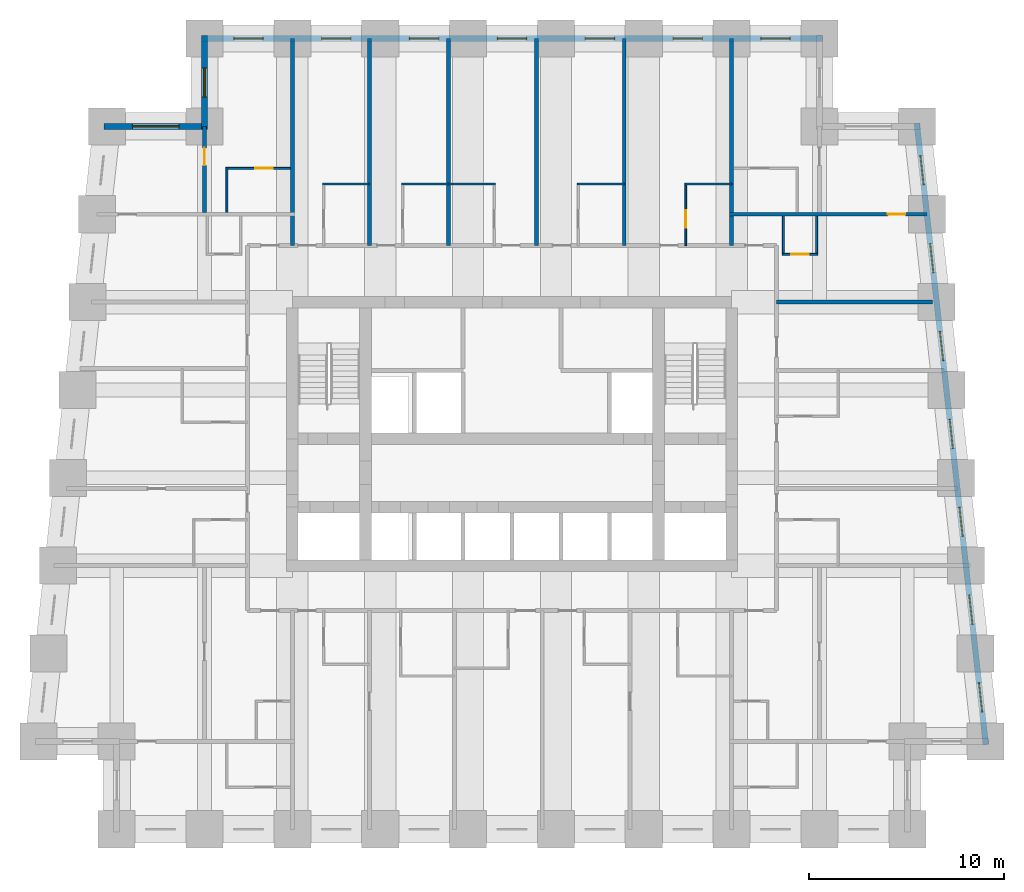
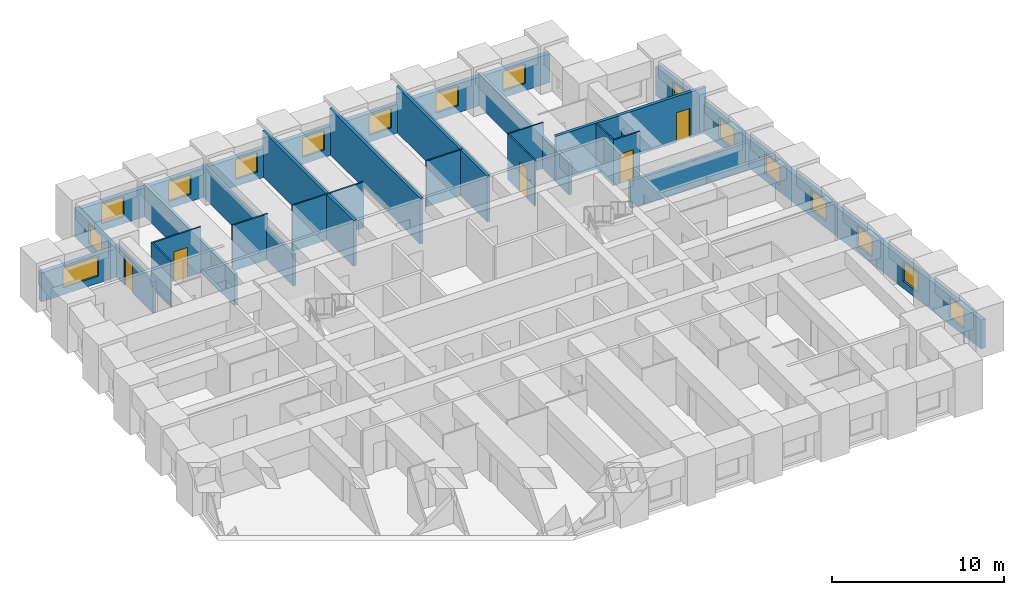
# One storey, part 6 of 8: 24 walls, 16 windows, 5 doors, 21 openings.
"""IFC4 building model written with IfcOpenShell, lengths in metres."""

from ifc_helpers import new_model, si_unit, direction, frame, frame_2d, origin, place, context, subcontext, project, spatial, rectangle, extrude, material, layer, layer_set, type_object, element, fill, save


model = new_model("IFC4")

# Units and contexts
model_context = context("Model", 3, precision=1e-05, world=origin(), true_north=direction((0.0, 1.0)))
body_context = subcontext(model_context, "Body", "Model", "MODEL_VIEW")
ifc_project = project(units=[si_unit("LENGTHUNIT", "METRE"), si_unit("AREAUNIT", "SQUARE_METRE"), si_unit("VOLUMEUNIT", "CUBIC_METRE"), si_unit("PLANEANGLEUNIT", "RADIAN"), si_unit("MASSUNIT", "GRAM", prefix="KILO")], contexts=[model_context])

# Site, building, storey
site_placement = place(None, origin())
site = spatial("IfcSite", under=ifc_project, at=site_placement, CompositionType="ELEMENT")
building_placement = place(site_placement, origin())
building = spatial("IfcBuilding", under=site, at=building_placement, Name="Kilele Tower Hotel", CompositionType="ELEMENT")
storey_placement = place(building_placement, frame((0.0, 0.0, 57.699951171875)))
storey = spatial("IfcBuildingStorey", under=building, at=storey_placement, Name="L13", CompositionType="ELEMENT", Elevation=57.699951171875)

# Walls
ifc_material_1 = material(Name="Moisture-resistant board")
ifc_layer_1 = layer(ifc_material_1, 0.10009765625)
ifc_layer_set_1 = layer_set([ifc_layer_1], Name="Moisture-resistant board")
wall_type_1 = type_object("IfcWallType", Name="Bathroom partition 100", PredefinedType="PLUMBINGWALL", material=ifc_layer_set_1)
for number, where, z_axis, x_axis, name in (
    (1, (15.050048828125, 33.050048828125, 0.0), (0.0, 0.0, 1.0), (1.0, 0.0, 0.0), "Bathroom partition 100 L13"),
    (2, (19.10009765625, 33.050048828125, 0.0), (0.0, 0.0, 1.0), (1.0, 0.0, 0.0), "Bathroom partition 100 L13"),
    (3, (21.5, 33.050048828125, 0.0), (0.0, 0.0, 1.0), (1.0, 0.0, 0.0), "Bathroom partition 100 L13"),
    (4, (28.10009765625, 33.050048828125, 0.0), (0.0, 0.0, 1.0), (1.0, 0.0, 0.0), "Bathroom partition 100 L13"),
    (5, (33.60009765625, 33.050048828125, 0.0), (0.0, 0.0, 1.0), (1.0, 0.0, 0.0), "Bathroom partition 100 L13"),
):
    element("IfcWall", number, at=place(storey_placement, frame(where, z_axis=z_axis, x_axis=x_axis)), inside=storey, type_object=wall_type_1, Name=name, PredefinedType="PLUMBINGWALL", context=body_context, shape_type="SweptSolid", body=[
        extrude(rectangle(XDim=2.39990234375, YDim=0.10009765625, at=frame_2d((1.199951171875, 0.0))), origin(), (0.0, 0.0, 1.0), 3.25),
    ])

# Wall, opening, door
wall_1_placement = place(storey_placement, frame((33.64990234375, 29.89990234375, 0.0), z_axis=(0.0, 0.0, 1.0), x_axis=(0.0, 1.0, 0.0)))
wall_1 = element("IfcWall", 6, at=wall_1_placement, inside=storey, type_object=wall_type_1, Name="Bathroom partition 100 L13", PredefinedType="PLUMBINGWALL", context=body_context, shape_type="SweptSolid", body=[
    extrude(rectangle(XDim=3.2001953125, YDim=0.10009765625, at=frame_2d((1.60009765625, 0.0))), origin(), (0.0, 0.0, 1.0), 3.25),
])
opening_1_placement = place(wall_1_placement, frame((0.89990234375, 0.0, 0.0)))
opening_1 = element("IfcOpeningElement", 7, at=opening_1_placement, cuts=wall_1, Name="Opening D2A", PredefinedType="OPENING", context=body_context, shape_type="SweptSolid", body=[
    extrude(rectangle(XDim=0.89990234375, YDim=2.10009765625, at=frame_2d((0.449951171875, 1.050048828125))), frame((0.0, 0.06005859375, 0.0), z_axis=(0.0, -1.0, 0.0), x_axis=(1.0, 0.0, 0.0)), (0.0, 0.0, 1.0), 0.1201171875),
])
ifc_material_2 = material(Name="Timber door leaf in hardwood frame", Category="wood")
door_type_1 = type_object("IfcDoorType", Name="Bathroom door 900", OperationType="SINGLE_SWING_LEFT", PredefinedType="DOOR", material=ifc_material_2)
door_1_placement = place(opening_1_placement, origin())
door_1 = element("IfcDoor", 8, at=door_1_placement, inside=storey, type_object=door_type_1, Name="Bathroom door 1313B", OperationType="SINGLE_SWING_LEFT", OverallHeight=2.10009765625, OverallWidth=0.89990234375, PredefinedType="DOOR", context=body_context, shape_type="SweptSolid", body=[
    extrude(rectangle(XDim=0.89990234375, YDim=2.10009765625, at=frame_2d((0.449951171875, 1.050048828125))), frame((0.0, 0.02490234375, 0.0), z_axis=(0.0, -1.0, 0.0), x_axis=(1.0, 0.0, 0.0)), (0.0, 0.0, 1.0), 0.050048828125),
])
fill(opening_1, door_1)

# Walls
wall_2_placement = place(storey_placement, frame((40.35009765625, 31.39990234375, 0.0), z_axis=(0.0, 0.0, 1.0), x_axis=(0.0, -1.0, 0.0)))
element("IfcWall", 9, at=wall_2_placement, inside=storey, type_object=wall_type_1, Name="Bathroom partition 100 L13", PredefinedType="PLUMBINGWALL", context=body_context, shape_type="SweptSolid", body=[
    extrude(rectangle(XDim=2.0, YDim=0.10009765625, at=frame_2d((1.0, 0.0))), origin(), (0.0, 0.0, 1.0), 2.25),
])
wall_3_placement = place(storey_placement, frame((38.64990234375, 31.39990234375, 0.0), z_axis=(0.0, 0.0, 1.0), x_axis=(0.0, -1.0, 0.0)))
element("IfcWall", 10, at=wall_3_placement, inside=storey, type_object=wall_type_1, Name="Bathroom partition 100 L13", PredefinedType="PLUMBINGWALL", context=body_context, shape_type="SweptSolid", body=[
    extrude(rectangle(XDim=2.0, YDim=0.10009765625, at=frame_2d((1.0, 0.0))), origin(), (0.0, 0.0, 1.0), 3.25),
])

# Wall, opening, door
wall_4_placement = place(storey_placement, frame((38.60009765625, 29.449951171875, 0.0), z_axis=(0.0, 0.0, 1.0), x_axis=(1.0, 0.0, 0.0)))
wall_4 = element("IfcWall", 11, at=wall_4_placement, inside=storey, type_object=wall_type_1, Name="Bathroom partition 100 L13", PredefinedType="PLUMBINGWALL", context=body_context, shape_type="SweptSolid", body=[
    extrude(rectangle(XDim=1.7998046875, YDim=0.10009765625, at=frame_2d((0.89990234375, 0.0))), origin(), (0.0, 0.0, 1.0), 3.25),
])
opening_2_placement = place(wall_4_placement, frame((1.349853515625, 0.0, 0.0), z_axis=(0.0, 0.0, 1.0), x_axis=(-1.0, 0.0, 0.0)))
opening_2 = element("IfcOpeningElement", 12, at=opening_2_placement, cuts=wall_4, Name="Opening D2A", PredefinedType="OPENING", context=body_context, shape_type="SweptSolid", body=[
    extrude(rectangle(XDim=0.89990234375, YDim=2.10009765625, at=frame_2d((0.449951171875, 1.050048828125))), frame((0.0, 0.06005859375, 0.0), z_axis=(0.0, -1.0, 0.0), x_axis=(1.0, 0.0, 0.0)), (0.0, 0.0, 1.0), 0.1201171875),
])
door_2_placement = place(opening_2_placement, origin())
door_2 = element("IfcDoor", 13, at=door_2_placement, inside=storey, type_object=door_type_1, Name="Bathroom door 1323P", OperationType="SINGLE_SWING_RIGHT", OverallHeight=2.10009765625, OverallWidth=0.89990234375, PredefinedType="DOOR", context=body_context, shape_type="SweptSolid", body=[
    extrude(rectangle(XDim=0.89990234375, YDim=2.10009765625, at=frame_2d((0.449951171875, 1.050048828125))), frame((0.0, 0.02490234375, 0.0), z_axis=(0.0, -1.0, 0.0), x_axis=(1.0, 0.0, 0.0)), (0.0, 0.0, 1.0), 0.050048828125),
])
fill(opening_2, door_2)

# Wall
wall_5_placement = place(storey_placement, frame((10.14990234375, 31.60009765625, 0.0), z_axis=(0.0, 0.0, 1.0), x_axis=(0.0, 1.0, 0.0)))
element("IfcWall", 14, at=wall_5_placement, inside=storey, type_object=wall_type_1, Name="Bathroom partition 100 L13", PredefinedType="PLUMBINGWALL", context=body_context, shape_type="SweptSolid", body=[
    extrude(rectangle(XDim=2.2998046875, YDim=0.10009765625, at=frame_2d((1.14990234375, 0.0))), origin(), (0.0, 0.0, 1.0), 3.25),
])

# Wall, opening, door
wall_6_placement = place(storey_placement, frame((13.39990234375, 33.85009765625, 0.0), z_axis=(0.0, 0.0, 1.0), x_axis=(-1.0, 0.0, 0.0)))
wall_6 = element("IfcWall", 15, at=wall_6_placement, inside=storey, type_object=wall_type_1, Name="Bathroom partition 100 L13", PredefinedType="PLUMBINGWALL", context=body_context, shape_type="SweptSolid", body=[
    extrude(rectangle(XDim=3.2998046875, YDim=0.10009765625, at=frame_2d((1.64990234375, 0.0))), origin(), (0.0, 0.0, 1.0), 3.25),
])
opening_3_placement = place(wall_6_placement, frame((1.7998046875, 0.0, 0.0), z_axis=(0.0, 0.0, 1.0), x_axis=(-1.0, 0.0, 0.0)))
opening_3 = element("IfcOpeningElement", 16, at=opening_3_placement, cuts=wall_6, Name="Opening D2A", PredefinedType="OPENING", context=body_context, shape_type="SweptSolid", body=[
    extrude(rectangle(XDim=0.89990234375, YDim=2.10009765625, at=frame_2d((0.449951171875, 1.050048828125))), frame((0.0, 0.06005859375, 0.0), z_axis=(0.0, -1.0, 0.0), x_axis=(1.0, 0.0, 0.0)), (0.0, 0.0, 1.0), 0.1201171875),
])
door_3_placement = place(opening_3_placement, origin())
door_3 = element("IfcDoor", 17, at=door_3_placement, inside=storey, type_object=door_type_1, Name="Bathroom door 1327B", OperationType="SINGLE_SWING_RIGHT", OverallHeight=2.10009765625, OverallWidth=0.89990234375, PredefinedType="DOOR", context=body_context, shape_type="SweptSolid", body=[
    extrude(rectangle(XDim=0.89990234375, YDim=2.10009765625, at=frame_2d((0.449951171875, 1.050048828125))), frame((0.0, 0.02490234375, 0.0), z_axis=(0.0, -1.0, 0.0), x_axis=(1.0, 0.0, 0.0)), (0.0, 0.0, 1.0), 0.050048828125),
])
fill(opening_3, door_3)

ifc_material_3 = material(Name="Blockwork, plastered both sides", Category="masonry")
ifc_layer_2 = layer(ifc_material_3, 0.199951171875)
ifc_layer_set_2 = layer_set([ifc_layer_2], Name="Blockwork, plastered both sides")
wall_type_2 = type_object("IfcWallType", Name="Partition wall 200", PredefinedType="PARTITIONING", material=ifc_layer_set_2)
wall_7_placement = place(storey_placement, frame((9.0, 31.60009765625, 0.0), z_axis=(0.0, 0.0, 1.0), x_axis=(0.0, 1.0, 0.0)))
wall_7 = element("IfcWall", 18, at=wall_7_placement, inside=storey, type_object=wall_type_2, Name="Partition wall 200 L13", PredefinedType="PARTITIONING", context=body_context, shape_type="SweptSolid", body=[
    extrude(rectangle(XDim=4.39990234375, YDim=0.199951171875, at=frame_2d((2.199951171875, 0.0))), origin(), (0.0, 0.0, 1.0), 2.25),
])
opening_4_placement = place(wall_7_placement, frame((2.39990234375, 0.0, 0.0)))
opening_4 = element("IfcOpeningElement", 19, at=opening_4_placement, cuts=wall_7, Name="Opening D3", PredefinedType="OPENING", context=body_context, shape_type="SweptSolid", body=[
    extrude(rectangle(XDim=0.89990234375, YDim=2.10009765625, at=frame_2d((0.449951171875, 1.050048828125))), frame((0.0, 0.10986328125, 0.0), z_axis=(0.0, -1.0, 0.0), x_axis=(1.0, 0.0, 0.0)), (0.0, 0.0, 1.0), 0.219970703125),
])
ifc_material_4 = material(Name="Timber door leaf in hardwood frame", Category="wood")
door_type_2 = type_object("IfcDoorType", Name="Suite internal door 900", OperationType="SINGLE_SWING_LEFT", PredefinedType="DOOR", material=ifc_material_4)
door_4_placement = place(opening_4_placement, origin())
door_4 = element("IfcDoor", 20, at=door_4_placement, inside=storey, type_object=door_type_2, Name="Suite door 1328", OperationType="SINGLE_SWING_RIGHT", OverallHeight=2.10009765625, OverallWidth=0.89990234375, PredefinedType="DOOR", context=body_context, shape_type="SweptSolid", body=[
    extrude(rectangle(XDim=0.89990234375, YDim=2.10009765625, at=frame_2d((0.449951171875, 1.050048828125))), frame((0.0, 0.02490234375, 0.0), z_axis=(0.0, -1.0, 0.0), x_axis=(1.0, 0.0, 0.0)), (0.0, 0.0, 1.0), 0.050048828125),
])
fill(opening_4, door_4)

# Walls
ifc_material_5 = material(Name="Blockwork, plastered both sides", Category="masonry")
ifc_layer_3 = layer(ifc_material_5, 0.199951171875)
ifc_layer_set_3 = layer_set([ifc_layer_3], Name="Blockwork, plastered both sides")
wall_type_3 = type_object("IfcWallType", Name="Party wall 200", PredefinedType="PARTITIONING", material=ifc_layer_set_3)
wall_8_placement = place(storey_placement, frame((17.449951171875, 29.89990234375, 0.0), z_axis=(0.0, 0.0, 1.0), x_axis=(0.0, 1.0, 0.0)))
element("IfcWall", 21, at=wall_8_placement, inside=storey, type_object=wall_type_3, Name="Party wall 200 L13", PredefinedType="PARTITIONING", context=body_context, shape_type="SweptSolid", body=[
    extrude(rectangle(XDim=10.60009765625, YDim=0.199951171875, at=frame_2d((5.300048828125, 0.0))), origin(), (0.0, 0.0, 1.0), 2.25),
])
for number, where, z_axis, x_axis, name in (
    (22, (21.5, 29.89990234375, 0.0), (0.0, 0.0, 1.0), (0.0, 1.0, 0.0), "Party wall 200 L13"),
    (23, (26.0, 29.89990234375, 0.0), (0.0, 0.0, 1.0), (0.0, 1.0, 0.0), "Party wall 200 L13"),
    (24, (30.5, 29.89990234375, 0.0), (0.0, 0.0, 1.0), (0.0, 1.0, 0.0), "Party wall 200 L13"),
):
    element("IfcWall", number, at=place(storey_placement, frame(where, z_axis=z_axis, x_axis=x_axis)), inside=storey, type_object=wall_type_3, Name=name, PredefinedType="PARTITIONING", context=body_context, shape_type="SweptSolid", body=[
        extrude(rectangle(XDim=10.60009765625, YDim=0.199951171875, at=frame_2d((5.300048828125, 0.0))), origin(), (0.0, 0.0, 1.0), 3.25),
    ])
wall_9_placement = place(storey_placement, frame((38.300048828125, 27.0, 0.0), z_axis=(0.0, 0.0, 1.0), x_axis=(1.0, 0.0, 0.0)))
element("IfcWall", 25, at=wall_9_placement, inside=storey, type_object=wall_type_3, Name="Party wall 200 L13", PredefinedType="PARTITIONING", context=body_context, shape_type="SweptSolid", body=[
    extrude(rectangle(XDim=7.976806640625, YDim=0.199951171875, at=frame_2d((3.98828125, 0.0))), origin(), (0.0, 0.0, 1.0), 1.949951171875),
])
wall_10_placement = place(storey_placement, frame((36.0, 29.89990234375, 0.0), z_axis=(0.0, 0.0, 1.0), x_axis=(0.0, 1.0, 0.0)))
element("IfcWall", 26, at=wall_10_placement, inside=storey, type_object=wall_type_3, Name="Party wall 200 L13", PredefinedType="PARTITIONING", context=body_context, shape_type="SweptSolid", body=[
    extrude(rectangle(XDim=10.60009765625, YDim=0.199951171875, at=frame_2d((5.300048828125, 0.0))), origin(), (0.0, 0.0, 1.0), 2.25),
])

# Wall, opening, door
wall_11_placement = place(storey_placement, frame((35.89990234375, 31.5, 0.0), z_axis=(0.0, 0.0, 1.0), x_axis=(1.0, 0.0, 0.0)))
wall_11 = element("IfcWall", 27, at=wall_11_placement, inside=storey, type_object=wall_type_3, Name="Party wall 200 L13", PredefinedType="PARTITIONING", context=body_context, shape_type="SweptSolid", body=[
    extrude(rectangle(XDim=10.09912109375, YDim=0.199951171875, at=frame_2d((5.049560546875, 0.0))), origin(), (0.0, 0.0, 1.0), 3.25),
])
opening_5_placement = place(wall_11_placement, frame((8.09912109375, 0.0, 0.0)))
opening_5 = element("IfcOpeningElement", 28, at=opening_5_placement, cuts=wall_11, Name="Opening D3", PredefinedType="OPENING", context=body_context, shape_type="SweptSolid", body=[
    extrude(rectangle(XDim=0.89990234375, YDim=2.10009765625, at=frame_2d((0.449951171875, 1.050048828125))), frame((0.0, 0.10986328125, 0.0), z_axis=(0.0, -1.0, 0.0), x_axis=(1.0, 0.0, 0.0)), (0.0, 0.0, 1.0), 0.219970703125),
])
door_5_placement = place(opening_5_placement, origin())
door_5 = element("IfcDoor", 29, at=door_5_placement, inside=storey, type_object=door_type_2, Name="Suite door 1324", OperationType="SINGLE_SWING_RIGHT", OverallHeight=2.10009765625, OverallWidth=0.89990234375, PredefinedType="DOOR", context=body_context, shape_type="SweptSolid", body=[
    extrude(rectangle(XDim=0.89990234375, YDim=2.10009765625, at=frame_2d((0.449951171875, 1.050048828125))), frame((0.0, 0.02490234375, 0.0), z_axis=(0.0, -1.0, 0.0), x_axis=(1.0, 0.0, 0.0)), (0.0, 0.0, 1.0), 0.050048828125),
])
fill(opening_5, door_5)

# Wall
wall_12_placement = place(storey_placement, frame((13.5, 29.89990234375, 0.0), z_axis=(0.0, 0.0, 1.0), x_axis=(0.0, 1.0, 0.0)))
element("IfcWall", 30, at=wall_12_placement, inside=storey, type_object=wall_type_3, Name="Party wall 200 L13", PredefinedType="PARTITIONING", context=body_context, shape_type="SweptSolid", body=[
    extrude(rectangle(XDim=10.60009765625, YDim=0.199951171875, at=frame_2d((5.300048828125, 0.0))), origin(), (0.0, 0.0, 1.0), 2.25),
])

# Wall, openings, windows
ifc_material_6 = material(Name="Concrete C40/50 precast", Category="concrete")
ifc_layer_4 = layer(ifc_material_6, 0.260009765625, Name="Precast backing", Category="LoadBearing")
ifc_material_7 = material(Name="Reconstituted stone finish", Category="masonry")
ifc_layer_5 = layer(ifc_material_7, 0.0400390625, Name="Face mix", Category="Finish")
ifc_layer_set_4 = layer_set([ifc_layer_4, ifc_layer_5], Name="Precast concrete C40/50, reconstituted stone finish")
wall_type_4 = type_object("IfcWallType", Name="Precast stone facade wall 300", PredefinedType="STANDARD", material=ifc_layer_set_4)
wall_13_placement = place(storey_placement, frame((49.0166015625, 4.350830078125, 0.0), z_axis=(0.0, 0.0, 1.0), x_axis=(-0.110433201132, 0.993883548555, 0.0)))
wall_13 = element("IfcWall", 31, at=wall_13_placement, inside=storey, type_object=wall_type_4, Name="Facade wall L13 edge 6", PredefinedType="STANDARD", context=body_context, shape_type="SweptSolid", body=[
    extrude(rectangle(XDim=31.994140625, YDim=0.300048828125, at=frame_2d((15.9970703125, 0.0))), origin(), (0.0, 0.0, 1.0), 2.050048828125),
])
opening_6_placement = place(wall_13_placement, frame((1.6640625, 0.0, 0.5)))
opening_6 = element("IfcOpeningElement", 32, at=opening_6_placement, cuts=wall_13, Name="Opening W1", PredefinedType="OPENING", context=body_context, shape_type="SweptSolid", body=[
    extrude(rectangle(XDim=1.5, YDim=1.39990234375, at=frame_2d((0.75, 0.699951171875))), frame((0.0, 0.159912109375, 0.0), z_axis=(0.0, -1.0, 0.0), x_axis=(1.0, 0.0, 0.0)), (0.0, 0.0, 1.0), 0.320068359375),
])
opening_7_placement = place(wall_13_placement, frame((6.19189453125, 0.0, 0.5)))
opening_7 = element("IfcOpeningElement", 33, at=opening_7_placement, cuts=wall_13, Name="Opening W1", PredefinedType="OPENING", context=body_context, shape_type="SweptSolid", body=[
    extrude(rectangle(XDim=1.5, YDim=1.39990234375, at=frame_2d((0.75, 0.699951171875))), frame((0.0, 0.159912109375, 0.0), z_axis=(0.0, -1.0, 0.0), x_axis=(1.0, 0.0, 0.0)), (0.0, 0.0, 1.0), 0.320068359375),
])
opening_8_placement = place(wall_13_placement, frame((10.718994140625, 0.0, 0.5)))
opening_8 = element("IfcOpeningElement", 34, at=opening_8_placement, cuts=wall_13, Name="Opening W1", PredefinedType="OPENING", context=body_context, shape_type="SweptSolid", body=[
    extrude(rectangle(XDim=1.5, YDim=1.39990234375, at=frame_2d((0.75, 0.699951171875))), frame((0.0, 0.159912109375, 0.0), z_axis=(0.0, -1.0, 0.0), x_axis=(1.0, 0.0, 0.0)), (0.0, 0.0, 1.0), 0.320068359375),
])
opening_9_placement = place(wall_13_placement, frame((15.2470703125, 0.0, 0.5)))
opening_9 = element("IfcOpeningElement", 35, at=opening_9_placement, cuts=wall_13, Name="Opening W1", PredefinedType="OPENING", context=body_context, shape_type="SweptSolid", body=[
    extrude(rectangle(XDim=1.5, YDim=1.39990234375, at=frame_2d((0.75, 0.699951171875))), frame((0.0, 0.159912109375, 0.0), z_axis=(0.0, -1.0, 0.0), x_axis=(1.0, 0.0, 0.0)), (0.0, 0.0, 1.0), 0.320068359375),
])
opening_10_placement = place(wall_13_placement, frame((19.77490234375, 0.0, 0.5)))
opening_10 = element("IfcOpeningElement", 36, at=opening_10_placement, cuts=wall_13, Name="Opening W1", PredefinedType="OPENING", context=body_context, shape_type="SweptSolid", body=[
    extrude(rectangle(XDim=1.5, YDim=1.39990234375, at=frame_2d((0.75, 0.699951171875))), frame((0.0, 0.159912109375, 0.0), z_axis=(0.0, -1.0, 0.0), x_axis=(1.0, 0.0, 0.0)), (0.0, 0.0, 1.0), 0.320068359375),
])
opening_11_placement = place(wall_13_placement, frame((24.302001953125, 0.0, 0.5)))
opening_11 = element("IfcOpeningElement", 37, at=opening_11_placement, cuts=wall_13, Name="Opening W1", PredefinedType="OPENING", context=body_context, shape_type="SweptSolid", body=[
    extrude(rectangle(XDim=1.5, YDim=1.39990234375, at=frame_2d((0.75, 0.699951171875))), frame((0.0, 0.159912109375, 0.0), z_axis=(0.0, -1.0, 0.0), x_axis=(1.0, 0.0, 0.0)), (0.0, 0.0, 1.0), 0.320068359375),
])
opening_12_placement = place(wall_13_placement, frame((28.830078125, 0.0, 0.5)))
opening_12 = element("IfcOpeningElement", 38, at=opening_12_placement, cuts=wall_13, Name="Opening W1", PredefinedType="OPENING", context=body_context, shape_type="SweptSolid", body=[
    extrude(rectangle(XDim=1.5, YDim=1.39990234375, at=frame_2d((0.75, 0.699951171875))), frame((0.0, 0.159912109375, 0.0), z_axis=(0.0, -1.0, 0.0), x_axis=(1.0, 0.0, 0.0)), (0.0, 0.0, 1.0), 0.320068359375),
])
ifc_material_8 = material(Name="Aluminium frame, clear double glazing", Category="aluminium")
window_type_1 = type_object("IfcWindowType", Name="Window W1 1500 x 1400", PartitioningType="SINGLE_PANEL", PredefinedType="WINDOW", material=ifc_material_8)
window_1_placement = place(opening_6_placement, origin())
window_1 = element("IfcWindow", 39, at=window_1_placement, inside=storey, type_object=window_type_1, Name="Window L13", OverallHeight=1.39990234375, OverallWidth=1.5, PartitioningType="SINGLE_PANEL", PredefinedType="WINDOW", context=body_context, shape_type="SweptSolid", body=[
    extrude(rectangle(XDim=1.5, YDim=1.39990234375, at=frame_2d((0.75, 0.699951171875))), frame((0.0, 0.030029296875, 0.0), z_axis=(0.0, -1.0, 0.0), x_axis=(1.0, 0.0, 0.0)), (0.0, 0.0, 1.0), 0.06005859375),
])
fill(opening_6, window_1)
window_2_placement = place(opening_7_placement, origin())
window_2 = element("IfcWindow", 40, at=window_2_placement, inside=storey, type_object=window_type_1, Name="Window L13", OverallHeight=1.39990234375, OverallWidth=1.5, PartitioningType="SINGLE_PANEL", PredefinedType="WINDOW", context=body_context, shape_type="SweptSolid", body=[
    extrude(rectangle(XDim=1.5, YDim=1.39990234375, at=frame_2d((0.75, 0.699951171875))), frame((0.0, 0.030029296875, 0.0), z_axis=(0.0, -1.0, 0.0), x_axis=(1.0, 0.0, 0.0)), (0.0, 0.0, 1.0), 0.06005859375),
])
fill(opening_7, window_2)
window_3_placement = place(opening_8_placement, origin())
window_3 = element("IfcWindow", 41, at=window_3_placement, inside=storey, type_object=window_type_1, Name="Window L13", OverallHeight=1.39990234375, OverallWidth=1.5, PartitioningType="SINGLE_PANEL", PredefinedType="WINDOW", context=body_context, shape_type="SweptSolid", body=[
    extrude(rectangle(XDim=1.5, YDim=1.39990234375, at=frame_2d((0.75, 0.699951171875))), frame((0.0, 0.030029296875, 0.0), z_axis=(0.0, -1.0, 0.0), x_axis=(1.0, 0.0, 0.0)), (0.0, 0.0, 1.0), 0.06005859375),
])
fill(opening_8, window_3)
window_4_placement = place(opening_9_placement, origin())
window_4 = element("IfcWindow", 42, at=window_4_placement, inside=storey, type_object=window_type_1, Name="Window L13", OverallHeight=1.39990234375, OverallWidth=1.5, PartitioningType="SINGLE_PANEL", PredefinedType="WINDOW", context=body_context, shape_type="SweptSolid", body=[
    extrude(rectangle(XDim=1.5, YDim=1.39990234375, at=frame_2d((0.75, 0.699951171875))), frame((0.0, 0.030029296875, 0.0), z_axis=(0.0, -1.0, 0.0), x_axis=(1.0, 0.0, 0.0)), (0.0, 0.0, 1.0), 0.06005859375),
])
fill(opening_9, window_4)
window_5_placement = place(opening_10_placement, origin())
window_5 = element("IfcWindow", 43, at=window_5_placement, inside=storey, type_object=window_type_1, Name="Window L13", OverallHeight=1.39990234375, OverallWidth=1.5, PartitioningType="SINGLE_PANEL", PredefinedType="WINDOW", context=body_context, shape_type="SweptSolid", body=[
    extrude(rectangle(XDim=1.5, YDim=1.39990234375, at=frame_2d((0.75, 0.699951171875))), frame((0.0, 0.030029296875, 0.0), z_axis=(0.0, -1.0, 0.0), x_axis=(1.0, 0.0, 0.0)), (0.0, 0.0, 1.0), 0.06005859375),
])
fill(opening_10, window_5)
window_6_placement = place(opening_11_placement, origin())
window_6 = element("IfcWindow", 44, at=window_6_placement, inside=storey, type_object=window_type_1, Name="Window L13", OverallHeight=1.39990234375, OverallWidth=1.5, PartitioningType="SINGLE_PANEL", PredefinedType="WINDOW", context=body_context, shape_type="SweptSolid", body=[
    extrude(rectangle(XDim=1.5, YDim=1.39990234375, at=frame_2d((0.75, 0.699951171875))), frame((0.0, 0.030029296875, 0.0), z_axis=(0.0, -1.0, 0.0), x_axis=(1.0, 0.0, 0.0)), (0.0, 0.0, 1.0), 0.06005859375),
])
fill(opening_11, window_6)
window_7_placement = place(opening_12_placement, origin())
window_7 = element("IfcWindow", 45, at=window_7_placement, inside=storey, type_object=window_type_1, Name="Window L13", OverallHeight=1.39990234375, OverallWidth=1.5, PartitioningType="SINGLE_PANEL", PredefinedType="WINDOW", context=body_context, shape_type="SweptSolid", body=[
    extrude(rectangle(XDim=1.5, YDim=1.39990234375, at=frame_2d((0.75, 0.699951171875))), frame((0.0, 0.030029296875, 0.0), z_axis=(0.0, -1.0, 0.0), x_axis=(1.0, 0.0, 0.0)), (0.0, 0.0, 1.0), 0.06005859375),
])
fill(opening_12, window_7)

wall_14_placement = place(storey_placement, frame((40.64990234375, 40.5, 0.0), z_axis=(0.0, 0.0, 1.0), x_axis=(-1.0, 0.0, 0.0)))
wall_14 = element("IfcWall", 46, at=wall_14_placement, inside=storey, type_object=wall_type_4, Name="Facade wall L13 edge 9", PredefinedType="STANDARD", context=body_context, shape_type="SweptSolid", body=[
    extrude(rectangle(XDim=31.7998046875, YDim=0.300048828125, at=frame_2d((15.89990234375, 0.0))), origin(), (0.0, 0.0, 1.0), 2.050048828125),
])
opening_13_placement = place(wall_14_placement, frame((1.64990234375, 0.0, 0.5)))
opening_13 = element("IfcOpeningElement", 47, at=opening_13_placement, cuts=wall_14, Name="Opening W1", PredefinedType="OPENING", context=body_context, shape_type="SweptSolid", body=[
    extrude(rectangle(XDim=1.5, YDim=1.39990234375, at=frame_2d((0.75, 0.699951171875))), frame((0.0, 0.159912109375, 0.0), z_axis=(0.0, -1.0, 0.0), x_axis=(1.0, 0.0, 0.0)), (0.0, 0.0, 1.0), 0.320068359375),
])
opening_14_placement = place(wall_14_placement, frame((6.14990234375, 0.0, 0.5)))
opening_14 = element("IfcOpeningElement", 48, at=opening_14_placement, cuts=wall_14, Name="Opening W1", PredefinedType="OPENING", context=body_context, shape_type="SweptSolid", body=[
    extrude(rectangle(XDim=1.5, YDim=1.39990234375, at=frame_2d((0.75, 0.699951171875))), frame((0.0, 0.159912109375, 0.0), z_axis=(0.0, -1.0, 0.0), x_axis=(1.0, 0.0, 0.0)), (0.0, 0.0, 1.0), 0.320068359375),
])
opening_15_placement = place(wall_14_placement, frame((10.64990234375, 0.0, 0.5)))
opening_15 = element("IfcOpeningElement", 49, at=opening_15_placement, cuts=wall_14, Name="Opening W1", PredefinedType="OPENING", context=body_context, shape_type="SweptSolid", body=[
    extrude(rectangle(XDim=1.5, YDim=1.39990234375, at=frame_2d((0.75, 0.699951171875))), frame((0.0, 0.159912109375, 0.0), z_axis=(0.0, -1.0, 0.0), x_axis=(1.0, 0.0, 0.0)), (0.0, 0.0, 1.0), 0.320068359375),
])
opening_16_placement = place(wall_14_placement, frame((15.14990234375, 0.0, 0.5)))
opening_16 = element("IfcOpeningElement", 50, at=opening_16_placement, cuts=wall_14, Name="Opening W1", PredefinedType="OPENING", context=body_context, shape_type="SweptSolid", body=[
    extrude(rectangle(XDim=1.5, YDim=1.39990234375, at=frame_2d((0.75, 0.699951171875))), frame((0.0, 0.159912109375, 0.0), z_axis=(0.0, -1.0, 0.0), x_axis=(1.0, 0.0, 0.0)), (0.0, 0.0, 1.0), 0.320068359375),
])
opening_17_placement = place(wall_14_placement, frame((19.64990234375, 0.0, 0.5)))
opening_17 = element("IfcOpeningElement", 51, at=opening_17_placement, cuts=wall_14, Name="Opening W1", PredefinedType="OPENING", context=body_context, shape_type="SweptSolid", body=[
    extrude(rectangle(XDim=1.5, YDim=1.39990234375, at=frame_2d((0.75, 0.699951171875))), frame((0.0, 0.159912109375, 0.0), z_axis=(0.0, -1.0, 0.0), x_axis=(1.0, 0.0, 0.0)), (0.0, 0.0, 1.0), 0.320068359375),
])
opening_18_placement = place(wall_14_placement, frame((24.14990234375, 0.0, 0.5)))
opening_18 = element("IfcOpeningElement", 52, at=opening_18_placement, cuts=wall_14, Name="Opening W1", PredefinedType="OPENING", context=body_context, shape_type="SweptSolid", body=[
    extrude(rectangle(XDim=1.5, YDim=1.39990234375, at=frame_2d((0.75, 0.699951171875))), frame((0.0, 0.159912109375, 0.0), z_axis=(0.0, -1.0, 0.0), x_axis=(1.0, 0.0, 0.0)), (0.0, 0.0, 1.0), 0.320068359375),
])
opening_19_placement = place(wall_14_placement, frame((28.64990234375, 0.0, 0.5)))
opening_19 = element("IfcOpeningElement", 53, at=opening_19_placement, cuts=wall_14, Name="Opening W1", PredefinedType="OPENING", context=body_context, shape_type="SweptSolid", body=[
    extrude(rectangle(XDim=1.5, YDim=1.39990234375, at=frame_2d((0.75, 0.699951171875))), frame((0.0, 0.159912109375, 0.0), z_axis=(0.0, -1.0, 0.0), x_axis=(1.0, 0.0, 0.0)), (0.0, 0.0, 1.0), 0.320068359375),
])
window_8_placement = place(opening_13_placement, origin())
window_8 = element("IfcWindow", 54, at=window_8_placement, inside=storey, type_object=window_type_1, Name="Window L13", OverallHeight=1.39990234375, OverallWidth=1.5, PartitioningType="SINGLE_PANEL", PredefinedType="WINDOW", context=body_context, shape_type="SweptSolid", body=[
    extrude(rectangle(XDim=1.5, YDim=1.39990234375, at=frame_2d((0.75, 0.699951171875))), frame((0.0, 0.030029296875, 0.0), z_axis=(0.0, -1.0, 0.0), x_axis=(1.0, 0.0, 0.0)), (0.0, 0.0, 1.0), 0.06005859375),
])
fill(opening_13, window_8)
window_9_placement = place(opening_14_placement, origin())
window_9 = element("IfcWindow", 55, at=window_9_placement, inside=storey, type_object=window_type_1, Name="Window L13", OverallHeight=1.39990234375, OverallWidth=1.5, PartitioningType="SINGLE_PANEL", PredefinedType="WINDOW", context=body_context, shape_type="SweptSolid", body=[
    extrude(rectangle(XDim=1.5, YDim=1.39990234375, at=frame_2d((0.75, 0.699951171875))), frame((0.0, 0.030029296875, 0.0), z_axis=(0.0, -1.0, 0.0), x_axis=(1.0, 0.0, 0.0)), (0.0, 0.0, 1.0), 0.06005859375),
])
fill(opening_14, window_9)
window_10_placement = place(opening_15_placement, origin())
window_10 = element("IfcWindow", 56, at=window_10_placement, inside=storey, type_object=window_type_1, Name="Window L13", OverallHeight=1.39990234375, OverallWidth=1.5, PartitioningType="SINGLE_PANEL", PredefinedType="WINDOW", context=body_context, shape_type="SweptSolid", body=[
    extrude(rectangle(XDim=1.5, YDim=1.39990234375, at=frame_2d((0.75, 0.699951171875))), frame((0.0, 0.030029296875, 0.0), z_axis=(0.0, -1.0, 0.0), x_axis=(1.0, 0.0, 0.0)), (0.0, 0.0, 1.0), 0.06005859375),
])
fill(opening_15, window_10)
window_11_placement = place(opening_16_placement, origin())
window_11 = element("IfcWindow", 57, at=window_11_placement, inside=storey, type_object=window_type_1, Name="Window L13", OverallHeight=1.39990234375, OverallWidth=1.5, PartitioningType="SINGLE_PANEL", PredefinedType="WINDOW", context=body_context, shape_type="SweptSolid", body=[
    extrude(rectangle(XDim=1.5, YDim=1.39990234375, at=frame_2d((0.75, 0.699951171875))), frame((0.0, 0.030029296875, 0.0), z_axis=(0.0, -1.0, 0.0), x_axis=(1.0, 0.0, 0.0)), (0.0, 0.0, 1.0), 0.06005859375),
])
fill(opening_16, window_11)
window_12_placement = place(opening_17_placement, origin())
window_12 = element("IfcWindow", 58, at=window_12_placement, inside=storey, type_object=window_type_1, Name="Window L13", OverallHeight=1.39990234375, OverallWidth=1.5, PartitioningType="SINGLE_PANEL", PredefinedType="WINDOW", context=body_context, shape_type="SweptSolid", body=[
    extrude(rectangle(XDim=1.5, YDim=1.39990234375, at=frame_2d((0.75, 0.699951171875))), frame((0.0, 0.030029296875, 0.0), z_axis=(0.0, -1.0, 0.0), x_axis=(1.0, 0.0, 0.0)), (0.0, 0.0, 1.0), 0.06005859375),
])
fill(opening_17, window_12)
window_13_placement = place(opening_18_placement, origin())
window_13 = element("IfcWindow", 59, at=window_13_placement, inside=storey, type_object=window_type_1, Name="Window L13", OverallHeight=1.39990234375, OverallWidth=1.5, PartitioningType="SINGLE_PANEL", PredefinedType="WINDOW", context=body_context, shape_type="SweptSolid", body=[
    extrude(rectangle(XDim=1.5, YDim=1.39990234375, at=frame_2d((0.75, 0.699951171875))), frame((0.0, 0.030029296875, 0.0), z_axis=(0.0, -1.0, 0.0), x_axis=(1.0, 0.0, 0.0)), (0.0, 0.0, 1.0), 0.06005859375),
])
fill(opening_18, window_13)
window_14_placement = place(opening_19_placement, origin())
window_14 = element("IfcWindow", 60, at=window_14_placement, inside=storey, type_object=window_type_1, Name="Window L13", OverallHeight=1.39990234375, OverallWidth=1.5, PartitioningType="SINGLE_PANEL", PredefinedType="WINDOW", context=body_context, shape_type="SweptSolid", body=[
    extrude(rectangle(XDim=1.5, YDim=1.39990234375, at=frame_2d((0.75, 0.699951171875))), frame((0.0, 0.030029296875, 0.0), z_axis=(0.0, -1.0, 0.0), x_axis=(1.0, 0.0, 0.0)), (0.0, 0.0, 1.0), 0.06005859375),
])
fill(opening_19, window_14)

# Wall, opening, window
wall_15_placement = place(storey_placement, frame((9.0, 40.64990234375, 0.0), z_axis=(0.0, 0.0, 1.0), x_axis=(0.0, -1.0, 0.0)))
wall_15 = element("IfcWall", 61, at=wall_15_placement, inside=storey, type_object=wall_type_4, Name="Facade wall L13 edge 10", PredefinedType="STANDARD", context=body_context, shape_type="SweptSolid", body=[
    extrude(rectangle(XDim=4.7998046875, YDim=0.300048828125, at=frame_2d((2.39990234375, 0.0))), origin(), (0.0, 0.0, 1.0), 2.050048828125),
])
opening_20_placement = place(wall_15_placement, frame((1.64990234375, 0.0, 0.5)))
opening_20 = element("IfcOpeningElement", 62, at=opening_20_placement, cuts=wall_15, Name="Opening W1", PredefinedType="OPENING", context=body_context, shape_type="SweptSolid", body=[
    extrude(rectangle(XDim=1.5, YDim=1.39990234375, at=frame_2d((0.75, 0.699951171875))), frame((0.0, 0.159912109375, 0.0), z_axis=(0.0, -1.0, 0.0), x_axis=(1.0, 0.0, 0.0)), (0.0, 0.0, 1.0), 0.320068359375),
])
window_15_placement = place(opening_20_placement, origin())
window_15 = element("IfcWindow", 63, at=window_15_placement, inside=storey, type_object=window_type_1, Name="Window L13", OverallHeight=1.39990234375, OverallWidth=1.5, PartitioningType="SINGLE_PANEL", PredefinedType="WINDOW", context=body_context, shape_type="SweptSolid", body=[
    extrude(rectangle(XDim=1.5, YDim=1.39990234375, at=frame_2d((0.75, 0.699951171875))), frame((0.0, 0.030029296875, 0.0), z_axis=(0.0, -1.0, 0.0), x_axis=(1.0, 0.0, 0.0)), (0.0, 0.0, 1.0), 0.06005859375),
])
fill(opening_20, window_15)

wall_16_placement = place(storey_placement, frame((9.14990234375, 36.0, 0.0), z_axis=(0.0, 0.0, 1.0), x_axis=(-1.0, 0.0, 0.0)))
wall_16 = element("IfcWall", 64, at=wall_16_placement, inside=storey, type_object=wall_type_4, Name="Facade wall L13 edge 11", PredefinedType="STANDARD", context=body_context, shape_type="SweptSolid", body=[
    extrude(rectangle(XDim=5.2998046875, YDim=0.300048828125, at=frame_2d((2.64990234375, 0.0))), origin(), (0.0, 0.0, 1.0), 2.050048828125),
])
opening_21_placement = place(wall_16_placement, frame((1.449951171875, 0.0, 0.5)))
opening_21 = element("IfcOpeningElement", 65, at=opening_21_placement, cuts=wall_16, Name="Opening W1", PredefinedType="OPENING", context=body_context, shape_type="SweptSolid", body=[
    extrude(rectangle(XDim=2.39990234375, YDim=1.39990234375, at=frame_2d((1.199951171875, 0.699951171875))), frame((0.0, 0.159912109375, 0.0), z_axis=(0.0, -1.0, 0.0), x_axis=(1.0, 0.0, 0.0)), (0.0, 0.0, 1.0), 0.320068359375),
])
ifc_material_9 = material(Name="Aluminium frame, clear double glazing", Category="aluminium")
window_type_2 = type_object("IfcWindowType", Name="Window W1 2400 x 1400", PartitioningType="SINGLE_PANEL", PredefinedType="WINDOW", material=ifc_material_9)
window_16_placement = place(opening_21_placement, origin())
window_16 = element("IfcWindow", 66, at=window_16_placement, inside=storey, type_object=window_type_2, Name="Window L13", OverallHeight=1.39990234375, OverallWidth=2.39990234375, PartitioningType="SINGLE_PANEL", PredefinedType="WINDOW", context=body_context, shape_type="SweptSolid", body=[
    extrude(rectangle(XDim=2.39990234375, YDim=1.39990234375, at=frame_2d((1.199951171875, 0.699951171875))), frame((0.0, 0.030029296875, 0.0), z_axis=(0.0, -1.0, 0.0), x_axis=(1.0, 0.0, 0.0)), (0.0, 0.0, 1.0), 0.06005859375),
])
fill(opening_21, window_16)

save(model, "model.ifc")
